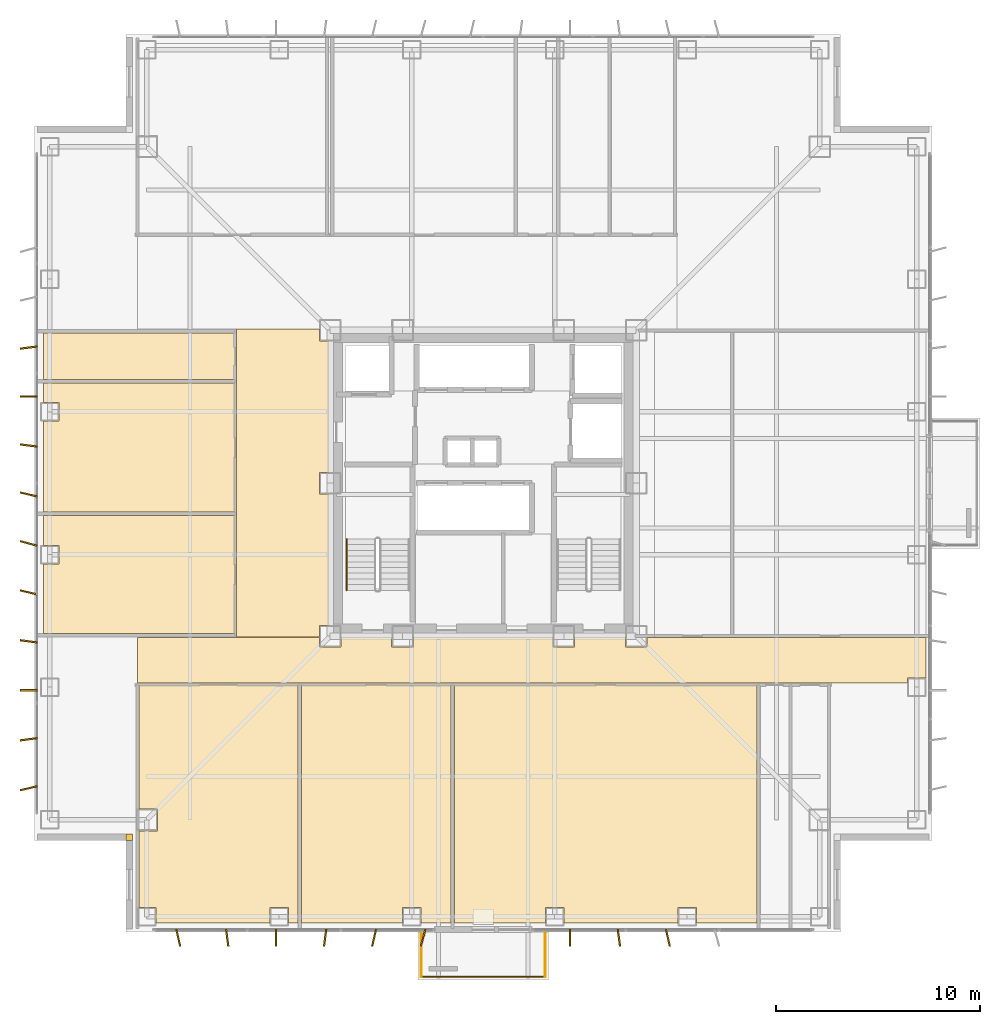
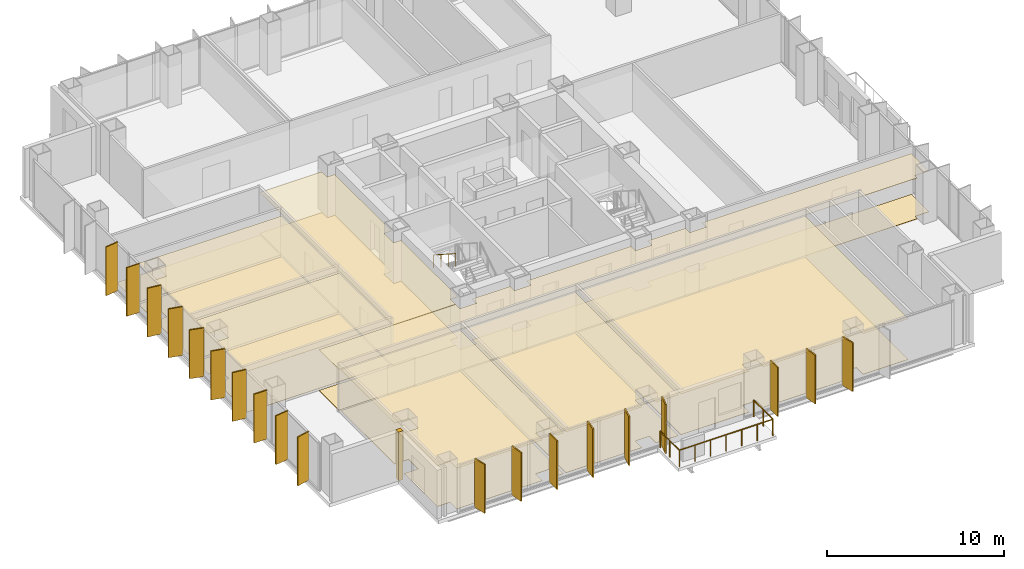
# One storey, part 16 of 18: 19 shading devices, 16 coverings, 4 railings.
"""IFC4 building model written with IfcOpenShell, lengths in metres."""

import ifcopenshell
import ifcopenshell.guid

model = None  # the IFC model being written
_history = None  # IfcOwnerHistory: only IFC2X3 demands one
_inside = {}  # id of a spatial element -> (the spatial element, [elements in it])
_under = {}  # id of a project, library or spatial element -> (it, [spatial elements below it])
_declared = {}  # id of a project -> (the project, [libraries it declares])
_typed = {}  # id of a type object -> (the type object, [elements of that type])
_made_of = {}  # id of a material, layer set ... -> (it, [elements and type objects made of it])


def new_model(schema):
    """Start an empty IFC model of exactly this schema.

    Asked for "IFC4X3", IfcOpenShell would pick the latest addendum, in which some entities
    have other attributes; the version numbers below select the first issue.
    IFC2X3 requires an IfcOwnerHistory on every rooted entity: one is made here for all.
    """
    global model, _history
    if schema == "IFC4X3":
        model = ifcopenshell.file(schema_version=(4, 3, 0, 0))
    else:
        model = ifcopenshell.file(schema=schema)
    _inside.clear()
    _under.clear()
    _declared.clear()
    _typed.clear()
    _made_of.clear()
    _history = None
    if model.schema == "IFC2X3":
        org = make("IfcOrganization", Name="unknown")
        user = make(
            "IfcPersonAndOrganization",
            ThePerson=make("IfcPerson", FamilyName="unknown"),
            TheOrganization=org,
        )
        app = make(
            "IfcApplication",
            ApplicationDeveloper=org,
            Version="unknown",
            ApplicationFullName="unknown",
            ApplicationIdentifier="unknown",
        )
        _history = make(
            "IfcOwnerHistory",
            OwningUser=user,
            OwningApplication=app,
            ChangeAction="ADDED",
            CreationDate=0,
        )
    return model


def make(cls, **values):
    """One entity of the class cls with the attributes given. An attribute that is None is left unset."""
    return model.create_entity(
        cls, **{name: value for name, value in values.items() if value is not None}
    )


def rooted(cls, **values):
    """An entity with a GlobalId (a new one), such as an element, a storey or a relation."""
    return make(cls, GlobalId=ifcopenshell.guid.new(), OwnerHistory=_history, **values)


def si_unit(unit_type, name, prefix=None):
    """IfcSIUnit, for example si_unit("LENGTHUNIT", "METRE", prefix="MILLI")."""
    return make("IfcSIUnit", UnitType=unit_type, Prefix=prefix, Name=name)


def assignment(units):
    """IfcUnitAssignment: the units of a project."""
    return None if units is None else make("IfcUnitAssignment", Units=units)


def point(xyz):
    """IfcCartesianPoint."""
    return None if xyz is None else make("IfcCartesianPoint", Coordinates=xyz)


def direction(xyz):
    """IfcDirection."""
    return None if xyz is None else make("IfcDirection", DirectionRatios=xyz)


def frame(location, z_axis=None, x_axis=None):
    """IfcAxis2Placement3D, a coordinate frame: its origin and axes. An axis left out is left unset."""
    return make(
        "IfcAxis2Placement3D",
        Location=point(location),
        Axis=direction(z_axis),
        RefDirection=direction(x_axis),
    )


def frame_2d(location, x_axis=None):
    """IfcAxis2Placement2D, a coordinate frame in the plane: its origin and x axis."""
    return make(
        "IfcAxis2Placement2D", Location=point(location), RefDirection=direction(x_axis)
    )


def origin():
    """The frame at (0, 0, 0) with its axes left unset."""
    return frame((0.0, 0.0, 0.0))


def origin_2d():
    """The frame at (0, 0) in the plane with its x axis left unset."""
    return frame_2d((0.0, 0.0))


def place(relative_to, where):
    """IfcLocalPlacement: puts the frame where relative to a parent placement (None: the world)."""
    return make(
        "IfcLocalPlacement", PlacementRelTo=relative_to, RelativePlacement=where
    )


def context(
    kind, dimensions, precision=None, world=None, true_north=None, identifier=None
):
    """IfcGeometricRepresentationContext, for example the 3D "Model" context."""
    return make(
        "IfcGeometricRepresentationContext",
        ContextIdentifier=identifier,
        ContextType=kind,
        CoordinateSpaceDimension=dimensions,
        Precision=precision,
        WorldCoordinateSystem=world,
        TrueNorth=true_north,
    )


def subcontext(parent, identifier, kind, view, scale=None):
    """IfcGeometricRepresentationSubContext, for example "Body" below "Model"."""
    return make(
        "IfcGeometricRepresentationSubContext",
        ContextIdentifier=identifier,
        ContextType=kind,
        ParentContext=parent,
        TargetScale=scale,
        TargetView=view,
    )


def project(units=None, contexts=None):
    """IfcProject with its units and contexts."""
    return rooted(
        "IfcProject",
        Name="project",
        RepresentationContexts=contexts,
        UnitsInContext=assignment(units),
    )


def spatial(cls, under=None, at=None, **own):
    """A site, building, storey or space (cls), placed at a placement, below another one or the project."""
    s = rooted(cls, ObjectPlacement=at, **own)
    if under is not None:
        _under.setdefault(under.id(), (under, []))[1].append(s)
    return s


def polyline(points):
    """IfcPolyline through the points."""
    return make("IfcPolyline", Points=[point(p) for p in points])


def profile(cls, at=None, kind="AREA", **sizes):
    """A parametric profile (cls). Its sizes go by their IFC names, for example OverallWidth=200.0."""
    return make(cls, ProfileType=kind, Position=at, **sizes)


def rectangle(**sizes):
    """IfcRectangleProfileDef."""
    return profile("IfcRectangleProfileDef", **sizes)


def circle(**sizes):
    """IfcCircleProfileDef."""
    return profile("IfcCircleProfileDef", **sizes)


def outline(outer, holes=None, kind="AREA"):
    """IfcArbitraryClosedProfileDef: a profile drawn as a closed curve; with holes, ...WithVoids."""
    if holes is None:
        return make("IfcArbitraryClosedProfileDef", ProfileType=kind, OuterCurve=outer)
    return make(
        "IfcArbitraryProfileDefWithVoids",
        ProfileType=kind,
        OuterCurve=outer,
        InnerCurves=holes,
    )


def extrude(swept, where, along, depth):
    """IfcExtrudedAreaSolid: the profile swept, set in the frame where, extruded along a direction by depth."""
    return make(
        "IfcExtrudedAreaSolid",
        SweptArea=swept,
        Position=where,
        ExtrudedDirection=direction(along),
        Depth=depth,
    )


def shape(context_of_items, identifier, shape_type, items):
    """IfcShapeRepresentation: the items that make up one representation, for example the "Body"."""
    return make(
        "IfcShapeRepresentation",
        ContextOfItems=context_of_items,
        RepresentationIdentifier=identifier,
        RepresentationType=shape_type,
        Items=items,
    )


def material(Name=None, Category=None):
    """IfcMaterial."""
    return make("IfcMaterial", Name=Name, Category=Category)


def layer(
    of_material, thickness, ventilated=None, Name=None, Category=None, Priority=None
):
    """IfcMaterialLayer: one layer of a wall or slab, of a material (None: an air gap)."""
    return make(
        "IfcMaterialLayer",
        Material=of_material,
        LayerThickness=thickness,
        IsVentilated=ventilated,
        Name=Name,
        Category=Category,
        Priority=Priority,
    )


def layer_set(layers, Name=None):
    """IfcMaterialLayerSet."""
    return make("IfcMaterialLayerSet", MaterialLayers=layers, LayerSetName=Name)


def made_of(thing, what):
    """Note that an element or type object is made of a material, layer set ...; save() writes the relation."""
    if what is not None:
        _made_of.setdefault(what.id(), (what, []))[1].append(thing)
    return thing


def type_object(cls, material=None, **own):
    """A type object (cls), such as IfcWallType, which elements share."""
    return made_of(rooted(cls, **own), material)


def element(
    cls,
    number,
    at=None,
    inside=None,
    cuts=None,
    type_object=None,
    material=None,
    context=None,
    identifier="Body",
    shape_type=None,
    held_by="IfcProductDefinitionShape",
    body=None,
    shapes=None,
    **own,
):
    """One element of the class cls, such as IfcWall. Its Tag is "e" and its number.

    at: its placement. inside: the storey or other place that contains it. cuts: it is an
    opening in that element (IfcRelVoidsElement). A single representation is given by context,
    identifier, shape_type and body (its items); several are given by shapes. held_by: the class
    of the entity that holds the representations. save() writes the other relations.
    """
    e = rooted(cls, Tag="e%d" % number, ObjectPlacement=at, **own)
    if body is not None:
        shapes = [shape(context, identifier, shape_type, body)]
    if shapes is not None:
        e.Representation = make(held_by, Representations=shapes)
    if inside is not None:
        _inside.setdefault(inside.id(), (inside, []))[1].append(e)
    if cuts is not None:
        rooted(
            "IfcRelVoidsElement", RelatingBuildingElement=cuts, RelatedOpeningElement=e
        )
    if type_object is not None:
        _typed.setdefault(type_object.id(), (type_object, []))[1].append(e)
    return made_of(e, material)


def aggregate(whole, parts):
    """IfcRelAggregates: a whole, such as a stair, and the parts it consists of."""
    return rooted("IfcRelAggregates", RelatingObject=whole, RelatedObjects=parts)


def save(model, path):
    """Write the relations noted so far, then the file.

    IfcRelAggregates (storeys below a building ...), IfcRelContainedInSpatialStructure (elements
    in a storey), IfcRelDefinesByType, IfcRelAssociatesMaterial and IfcRelDeclares: one each for
    every whole, place, type object, material and project.
    """
    for whole, parts in _under.values():
        aggregate(whole, parts)
    for where, things in _inside.values():
        rooted(
            "IfcRelContainedInSpatialStructure",
            RelatedElements=things,
            RelatingStructure=where,
        )
    for kind, things in _typed.values():
        rooted("IfcRelDefinesByType", RelatedObjects=things, RelatingType=kind)
    for what, things in _made_of.values():
        rooted("IfcRelAssociatesMaterial", RelatedObjects=things, RelatingMaterial=what)
    for by, libraries in _declared.values():
        rooted("IfcRelDeclares", RelatingContext=by, RelatedDefinitions=libraries)
    model.write(path)


model = new_model("IFC4")

# Units and contexts
model_context = context("Model", 3, precision=1e-05, world=origin(), true_north=direction((0.0, 1.0)))
body_context = subcontext(model_context, "Body", "Model", "MODEL_VIEW")
ifc_project = project(units=[si_unit("LENGTHUNIT", "METRE"), si_unit("AREAUNIT", "SQUARE_METRE"), si_unit("VOLUMEUNIT", "CUBIC_METRE"), si_unit("PLANEANGLEUNIT", "RADIAN"), si_unit("MASSUNIT", "GRAM", prefix="KILO")], contexts=[model_context])

# Site, building, storey
site_placement = place(None, origin())
site = spatial("IfcSite", under=ifc_project, at=site_placement, CompositionType="ELEMENT")
building_placement = place(site_placement, origin())
building = spatial("IfcBuilding", under=site, at=building_placement, Name="Trevonay Congress Spire", CompositionType="ELEMENT")
storey_placement = place(building_placement, frame((0.0, 0.0, 104.800048828125)))
storey = spatial("IfcBuildingStorey", under=building, at=storey_placement, Name="L26", CompositionType="ELEMENT", Elevation=104.800048828125)

# Coverings
ifc_material_1 = material(Name="Acoustic Mineral Fibre Board", Category="gypsum")
ifc_layer_1 = layer(ifc_material_1, 0.02490234375, Name="Acoustic Mineral Fibre Board")
ifc_layer_set_1 = layer_set([ifc_layer_1], Name="Acoustic Mineral Fibre Board")
covering_type_1 = type_object("IfcCoveringType", Name="COV-CEIL-ACOUSTIC", PredefinedType="CEILING", material=ifc_layer_set_1)
covering_1_placement = place(storey_placement, frame((0.0, 0.0, 2.81005859375)))
element("IfcCovering", 1, at=covering_1_placement, inside=storey, type_object=covering_type_1, Name="L26 Congress South Spine Corridor acoustic suspended ceiling", PredefinedType="CEILING", context=body_context, shape_type="SweptSolid", body=[
    extrude(outline(polyline([(-16.949951171875, -9.800048828125), (-16.949951171875, -7.550048828125), (-8.034912109375, -7.550048828125), (-8.034912109375, -8.034912109375), (-6.965087890625, -8.034912109375), (-6.965087890625, -7.550048828125), (-4.485107421875, -7.550048828125), (-4.485107421875, -8.034912109375), (-3.4150390625, -8.034912109375), (-3.4150390625, -7.550048828125), (3.4150390625, -7.550048828125), (3.4150390625, -8.034912109375), (4.485107421875, -8.034912109375), (4.485107421875, -7.550048828125), (6.965087890625, -7.550048828125), (6.965087890625, -8.034912109375), (8.034912109375, -8.034912109375), (8.034912109375, -7.550048828125), (21.699951171875, -7.550048828125), (21.699951171875, -9.5400390625), (20.7900390625, -9.5400390625), (20.7900390625, -9.800048828125), (-16.949951171875, -9.800048828125)])), origin(), (0.0, 0.0, 1.0), 0.02490234375),
])
covering_2_placement = place(storey_placement, frame((0.0, 0.0, 2.81005859375)))
element("IfcCovering", 2, at=covering_2_placement, inside=storey, type_object=covering_type_1, Name="L26 West Sky Promenade Salon acoustic suspended ceiling", PredefinedType="CEILING", context=body_context, shape_type="SweptSolid", body=[
    extrude(outline(polyline([(-12.10009765625, 7.550048828125), (-8.034912109375, 7.550048828125), (-8.034912109375, 6.965087890625), (-7.550048828125, 6.965087890625), (-7.550048828125, 0.534912109375), (-8.034912109375, 0.534912109375), (-8.034912109375, -0.534912109375), (-7.550048828125, -0.534912109375), (-7.550048828125, -6.965087890625), (-8.034912109375, -6.965087890625), (-8.034912109375, -7.5400390625), (-12.10009765625, -7.5400390625), (-12.10009765625, 7.550048828125)])), origin(), (0.0, 0.0, 1.0), 0.02490234375),
])
covering_3_placement = place(storey_placement, frame((0.0, 0.0, 2.81005859375)))
element("IfcCovering", 3, at=covering_3_placement, inside=storey, type_object=covering_type_1, Name="L26 Commission Hearing Chamber A acoustic suspended ceiling", PredefinedType="CEILING", context=body_context, shape_type="SweptSolid", body=[
    extrude(outline(polyline([(-16.0400390625, -21.550048828125), (-16.0400390625, -20.7900390625), (-16.8701171875, -20.7900390625), (-16.8701171875, -17.034912109375), (-15.965087890625, -17.034912109375), (-15.965087890625, -15.965087890625), (-16.8701171875, -15.965087890625), (-16.8701171875, -9.8798828125), (-9.080078125, -9.8798828125), (-9.080078125, -21.550048828125), (-9.5400390625, -21.550048828125), (-9.5400390625, -20.7900390625), (-10.4599609375, -20.7900390625), (-10.4599609375, -21.550048828125), (-16.0400390625, -21.550048828125)])), origin(), (0.0, 0.0, 1.0), 0.02490234375),
])
covering_4_placement = place(storey_placement, frame((0.0, 0.0, 2.81005859375)))
element("IfcCovering", 4, at=covering_4_placement, inside=storey, type_object=covering_type_1, Name="L26 Commission Hearing Chamber B acoustic suspended ceiling", PredefinedType="CEILING", context=body_context, shape_type="SweptSolid", body=[
    extrude(outline(polyline([(-8.919921875, -21.550048828125), (-8.919921875, -9.8798828125), (-1.580078125, -9.8798828125), (-1.580078125, -21.550048828125), (-3.0400390625, -21.550048828125), (-3.0400390625, -20.7900390625), (-3.9599609375, -20.7900390625), (-3.9599609375, -21.550048828125), (-8.919921875, -21.550048828125)])), origin(), (0.0, 0.0, 1.0), 0.02490234375),
])
covering_5_placement = place(storey_placement, frame((0.0, 0.0, 2.81005859375)))
element("IfcCovering", 5, at=covering_5_placement, inside=storey, type_object=covering_type_1, Name="L26 Simultaneous Interpretation Hub acoustic suspended ceiling", PredefinedType="CEILING", context=body_context, shape_type="SweptSolid", body=[
    extrude(outline(polyline([(-1.419921875, -21.550048828125), (-1.419921875, -9.8798828125), (13.419921875, -9.8798828125), (13.419921875, -21.550048828125), (10.4599609375, -21.550048828125), (10.4599609375, -20.7900390625), (9.5400390625, -20.7900390625), (9.5400390625, -21.550048828125), (3.9599609375, -21.550048828125), (3.9599609375, -20.7900390625), (3.0400390625, -20.7900390625), (3.0400390625, -21.550048828125), (-1.419921875, -21.550048828125)])), origin(), (0.0, 0.0, 1.0), 0.02490234375),
])
covering_6_placement = place(storey_placement, frame((0.0, 0.0, 2.81005859375)))
element("IfcCovering", 6, at=covering_6_placement, inside=storey, type_object=covering_type_1, Name="L26 Delegation Caucus Room West acoustic suspended ceiling", PredefinedType="CEILING", context=body_context, shape_type="SweptSolid", body=[
    extrude(outline(polyline([(-21.550048828125, -1.580078125), (-12.179931640625, -1.580078125), (-12.179931640625, -7.3701171875), (-21.550048828125, -7.3701171875), (-21.550048828125, -3.9599609375), (-20.7900390625, -3.9599609375), (-20.7900390625, -3.0400390625), (-21.550048828125, -3.0400390625), (-21.550048828125, -1.580078125)])), origin(), (0.0, 0.0, 1.0), 0.02490234375),
])
covering_7_placement = place(storey_placement, frame((0.0, 0.0, 2.81005859375)))
element("IfcCovering", 7, at=covering_7_placement, inside=storey, type_object=covering_type_1, Name="L26 Rapporteur Drafting Office acoustic suspended ceiling", PredefinedType="CEILING", context=body_context, shape_type="SweptSolid", body=[
    extrude(outline(polyline([(-21.550048828125, 4.919921875), (-12.179931640625, 4.919921875), (-12.179931640625, -1.419921875), (-21.550048828125, -1.419921875), (-21.550048828125, 3.0400390625), (-20.7900390625, 3.0400390625), (-20.7900390625, 3.9599609375), (-21.550048828125, 3.9599609375), (-21.550048828125, 4.919921875)])), origin(), (0.0, 0.0, 1.0), 0.02490234375),
])
ifc_material_2 = material(Name="Polished Granite Floor Tile", Category="masonry")
ifc_layer_2 = layer(ifc_material_2, 0.02001953125, Name="Polished Granite Floor Tile")
ifc_layer_set_2 = layer_set([ifc_layer_2], Name="Polished Granite Floor Tile")
covering_type_2 = type_object("IfcCoveringType", Name="COV-FLOOR-STONE", PredefinedType="FLOORING", material=ifc_layer_set_2)
covering_8_placement = place(storey_placement, origin())
element("IfcCovering", 8, at=covering_8_placement, inside=storey, type_object=covering_type_2, Name="L26 Congress South Spine Corridor floor finish", PredefinedType="FLOORING", context=body_context, shape_type="SweptSolid", body=[
    extrude(outline(polyline([(-16.949951171875, -9.800048828125), (-16.949951171875, -7.550048828125), (-8.034912109375, -7.550048828125), (-8.034912109375, -8.034912109375), (-6.965087890625, -8.034912109375), (-6.965087890625, -7.550048828125), (-4.485107421875, -7.550048828125), (-4.485107421875, -8.034912109375), (-3.4150390625, -8.034912109375), (-3.4150390625, -7.550048828125), (3.4150390625, -7.550048828125), (3.4150390625, -8.034912109375), (4.485107421875, -8.034912109375), (4.485107421875, -7.550048828125), (6.965087890625, -7.550048828125), (6.965087890625, -8.034912109375), (8.034912109375, -8.034912109375), (8.034912109375, -7.550048828125), (21.699951171875, -7.550048828125), (21.699951171875, -9.5400390625), (20.7900390625, -9.5400390625), (20.7900390625, -9.800048828125), (-16.949951171875, -9.800048828125)])), origin(), (0.0, 0.0, 1.0), 0.02001953125),
])
covering_9_placement = place(storey_placement, origin())
element("IfcCovering", 9, at=covering_9_placement, inside=storey, type_object=covering_type_2, Name="L26 Male Restroom WC floor finish", PredefinedType="FLOORING", context=body_context, shape_type="SweptSolid", body=[
    extrude(outline(polyline([(-21.550048828125, 5.080078125), (-12.179931640625, 5.080078125), (-12.179931640625, 7.3701171875), (-21.550048828125, 7.3701171875), (-21.550048828125, 5.080078125)])), origin(), (0.0, 0.0, 1.0), 0.02001953125),
])
ifc_material_3 = material(Name="Engineered Oak Flooring", Category="wood")
ifc_layer_3 = layer(ifc_material_3, 0.01806640625, Name="Engineered Oak Flooring")
ifc_layer_set_3 = layer_set([ifc_layer_3], Name="Engineered Oak Flooring")
covering_type_3 = type_object("IfcCoveringType", Name="COV-FLOOR-TIMBER", PredefinedType="FLOORING", material=ifc_layer_set_3)
covering_10_placement = place(storey_placement, origin())
element("IfcCovering", 10, at=covering_10_placement, inside=storey, type_object=covering_type_3, Name="L26 West Sky Promenade Salon floor finish", PredefinedType="FLOORING", context=body_context, shape_type="SweptSolid", body=[
    extrude(outline(polyline([(-12.10009765625, 7.550048828125), (-8.034912109375, 7.550048828125), (-8.034912109375, 6.965087890625), (-7.550048828125, 6.965087890625), (-7.550048828125, 0.534912109375), (-8.034912109375, 0.534912109375), (-8.034912109375, -0.534912109375), (-7.550048828125, -0.534912109375), (-7.550048828125, -6.965087890625), (-8.034912109375, -6.965087890625), (-8.034912109375, -7.5400390625), (-12.10009765625, -7.5400390625), (-12.10009765625, 7.550048828125)])), origin(), (0.0, 0.0, 1.0), 0.01806640625),
])
covering_11_placement = place(storey_placement, origin())
element("IfcCovering", 11, at=covering_11_placement, inside=storey, type_object=covering_type_3, Name="L26 Commission Hearing Chamber A floor finish", PredefinedType="FLOORING", context=body_context, shape_type="SweptSolid", body=[
    extrude(outline(polyline([(-16.0400390625, -21.550048828125), (-16.0400390625, -20.7900390625), (-16.8701171875, -20.7900390625), (-16.8701171875, -17.034912109375), (-15.965087890625, -17.034912109375), (-15.965087890625, -15.965087890625), (-16.8701171875, -15.965087890625), (-16.8701171875, -9.8798828125), (-9.080078125, -9.8798828125), (-9.080078125, -21.550048828125), (-9.5400390625, -21.550048828125), (-9.5400390625, -20.7900390625), (-10.4599609375, -20.7900390625), (-10.4599609375, -21.550048828125), (-16.0400390625, -21.550048828125)])), origin(), (0.0, 0.0, 1.0), 0.01806640625),
])
covering_12_placement = place(storey_placement, origin())
element("IfcCovering", 12, at=covering_12_placement, inside=storey, type_object=covering_type_3, Name="L26 Commission Hearing Chamber B floor finish", PredefinedType="FLOORING", context=body_context, shape_type="SweptSolid", body=[
    extrude(outline(polyline([(-8.919921875, -21.550048828125), (-8.919921875, -9.8798828125), (-1.580078125, -9.8798828125), (-1.580078125, -21.550048828125), (-3.0400390625, -21.550048828125), (-3.0400390625, -20.7900390625), (-3.9599609375, -20.7900390625), (-3.9599609375, -21.550048828125), (-8.919921875, -21.550048828125)])), origin(), (0.0, 0.0, 1.0), 0.01806640625),
])
covering_13_placement = place(storey_placement, origin())
element("IfcCovering", 13, at=covering_13_placement, inside=storey, type_object=covering_type_3, Name="L26 Simultaneous Interpretation Hub floor finish", PredefinedType="FLOORING", context=body_context, shape_type="SweptSolid", body=[
    extrude(outline(polyline([(-1.419921875, -21.550048828125), (-1.419921875, -9.8798828125), (13.419921875, -9.8798828125), (13.419921875, -21.550048828125), (10.4599609375, -21.550048828125), (10.4599609375, -20.7900390625), (9.5400390625, -20.7900390625), (9.5400390625, -21.550048828125), (3.9599609375, -21.550048828125), (3.9599609375, -20.7900390625), (3.0400390625, -20.7900390625), (3.0400390625, -21.550048828125), (-1.419921875, -21.550048828125)])), origin(), (0.0, 0.0, 1.0), 0.01806640625),
])
covering_14_placement = place(storey_placement, origin())
element("IfcCovering", 14, at=covering_14_placement, inside=storey, type_object=covering_type_3, Name="L26 Delegation Caucus Room West floor finish", PredefinedType="FLOORING", context=body_context, shape_type="SweptSolid", body=[
    extrude(outline(polyline([(-21.550048828125, -1.580078125), (-12.179931640625, -1.580078125), (-12.179931640625, -7.3701171875), (-21.550048828125, -7.3701171875), (-21.550048828125, -3.9599609375), (-20.7900390625, -3.9599609375), (-20.7900390625, -3.0400390625), (-21.550048828125, -3.0400390625), (-21.550048828125, -1.580078125)])), origin(), (0.0, 0.0, 1.0), 0.01806640625),
])
covering_15_placement = place(storey_placement, origin())
element("IfcCovering", 15, at=covering_15_placement, inside=storey, type_object=covering_type_3, Name="L26 Rapporteur Drafting Office floor finish", PredefinedType="FLOORING", context=body_context, shape_type="SweptSolid", body=[
    extrude(outline(polyline([(-21.550048828125, 4.919921875), (-12.179931640625, 4.919921875), (-12.179931640625, -1.419921875), (-21.550048828125, -1.419921875), (-21.550048828125, 3.0400390625), (-20.7900390625, 3.0400390625), (-20.7900390625, 3.9599609375), (-21.550048828125, 3.9599609375), (-21.550048828125, 4.919921875)])), origin(), (0.0, 0.0, 1.0), 0.01806640625),
])
ifc_material_4 = material(Name="Pale Anodised Aluminium EN AW-6063-T6", Category="aluminium")
ifc_layer_4 = layer(ifc_material_4, 0.0400390625, Name="Pale Anodised Aluminium EN AW-6063-T6")
ifc_layer_set_4 = layer_set([ifc_layer_4], Name="Pale Anodised Aluminium EN AW-6063-T6")
covering_type_4 = type_object("IfcCoveringType", Name="COV-SPANDREL-PALE-METAL", PredefinedType="CLADDING", material=ifc_layer_set_4)
covering_16_placement = place(storey_placement, origin())
element("IfcCovering", 16, at=covering_16_placement, inside=storey, type_object=covering_type_4, Name="L26 SW re-entrant notch corner closure trim", PredefinedType="CLADDING", context=body_context, shape_type="SweptSolid", body=[
    extrude(outline(polyline([(-17.5, -17.5), (-17.199951171875, -17.5), (-17.199951171875, -17.199951171875), (-17.5, -17.199951171875), (-17.5, -17.5)])), origin(), (0.0, 0.0, 1.0), 3.35986328125),
])

# Railings
railing_type_1 = type_object("IfcRailingType", Name="RAL-EXT-GUARD-115", PredefinedType="GUARDRAIL", material=ifc_material_4)
railing_1_placement = place(storey_placement, frame((-3.050048828125, -22.050048828125, 0.0)))
element("IfcRailing", 17, at=railing_1_placement, inside=storey, type_object=railing_type_1, Name="L26 perimeter safety guard GRD-L26-TBAL-S-1", PredefinedType="GUARDRAIL", context=body_context, shape_type="SweptSolid", body=[
    extrude(circle(Radius=0.02392578125, at=origin_2d()), frame((0.0, 0.0, 1.1259765625), z_axis=(0.0, -1.0, 0.0), x_axis=(1.0, 0.0, 0.0)), (0.0, 0.0, 1.0), 2.14990234375),
    extrude(circle(Radius=0.02099609375, at=origin_2d()), origin(), (0.0, 0.0, 1.0), 1.101806640625),
    extrude(circle(Radius=0.02099609375, at=origin_2d()), frame((0.0, -1.074951171875, 0.0)), (0.0, 0.0, 1.0), 1.101806640625),
    extrude(circle(Radius=0.02099609375, at=origin_2d()), frame((0.0, -2.14990234375, 0.0)), (0.0, 0.0, 1.0), 1.101806640625),
])
railing_2_placement = place(storey_placement, frame((-3.050048828125, -24.199951171875, 0.0)))
element("IfcRailing", 18, at=railing_2_placement, inside=storey, type_object=railing_type_1, Name="L26 perimeter safety guard GRD-L26-TBAL-S-2", PredefinedType="GUARDRAIL", context=body_context, shape_type="SweptSolid", body=[
    extrude(circle(Radius=0.02392578125, at=origin_2d()), frame((0.0, 0.0, 1.1259765625), z_axis=(1.0, 0.0, 0.0), x_axis=(0.0, 1.0, 0.0)), (0.0, 0.0, 1.0), 6.10009765625),
    extrude(circle(Radius=0.02099609375, at=origin_2d()), origin(), (0.0, 0.0, 1.0), 1.101806640625),
    extrude(circle(Radius=0.02099609375, at=origin_2d()), frame((1.0166015625, 0.0, 0.0)), (0.0, 0.0, 1.0), 1.101806640625),
    extrude(circle(Radius=0.02099609375, at=origin_2d()), frame((2.033447265625, 0.0, 0.0)), (0.0, 0.0, 1.0), 1.101806640625),
    extrude(circle(Radius=0.02099609375, at=origin_2d()), frame((3.050048828125, 0.0, 0.0)), (0.0, 0.0, 1.0), 1.101806640625),
    extrude(circle(Radius=0.02099609375, at=origin_2d()), frame((4.066650390625, 0.0, 0.0)), (0.0, 0.0, 1.0), 1.101806640625),
    extrude(circle(Radius=0.02099609375, at=origin_2d()), frame((5.08349609375, 0.0, 0.0)), (0.0, 0.0, 1.0), 1.101806640625),
    extrude(circle(Radius=0.02099609375, at=origin_2d()), frame((6.10009765625, 0.0, 0.0)), (0.0, 0.0, 1.0), 1.101806640625),
])
railing_3_placement = place(storey_placement, frame((3.050048828125, -24.199951171875, 0.0)))
element("IfcRailing", 19, at=railing_3_placement, inside=storey, type_object=railing_type_1, Name="L26 perimeter safety guard GRD-L26-TBAL-S-3", PredefinedType="GUARDRAIL", context=body_context, shape_type="SweptSolid", body=[
    extrude(circle(Radius=0.02392578125, at=origin_2d()), frame((0.0, 0.0, 1.1259765625), z_axis=(0.0, 1.0, 0.0), x_axis=(-1.0, 0.0, 0.0)), (0.0, 0.0, 1.0), 2.14990234375),
    extrude(circle(Radius=0.02099609375, at=origin_2d()), origin(), (0.0, 0.0, 1.0), 1.101806640625),
    extrude(circle(Radius=0.02099609375, at=origin_2d()), frame((0.0, 1.074951171875, 0.0)), (0.0, 0.0, 1.0), 1.101806640625),
    extrude(circle(Radius=0.02099609375, at=origin_2d()), frame((0.0, 2.14990234375, 0.0)), (0.0, 0.0, 1.0), 1.101806640625),
])
railing_type_2 = type_object("IfcRailingType", Name="RAL-STAIR-HANDRAIL", PredefinedType="HANDRAIL", material=ifc_material_4)
railing_4_placement = place(storey_placement, frame((-6.699951171875, -2.72998046875, 1.97998046875)))
element("IfcRailing", 20, at=railing_4_placement, inside=storey, type_object=railing_type_2, Name="L26 ST-1 stair handrail 2", PredefinedType="HANDRAIL", context=body_context, shape_type="SweptSolid", body=[
    extrude(circle(Radius=0.02392578125, at=origin_2d()), frame((0.0, 0.0, 0.8759765625), z_axis=(0.0, -0.841199657755, 0.540724639528), x_axis=(1.0, 0.0, 0.0)), (0.0, 0.0, 1.0), 2.995849609375),
    extrude(circle(Radius=0.02099609375, at=origin_2d()), origin(), (0.0, 0.0, 1.0), 0.851806640625),
    extrude(circle(Radius=0.02099609375, at=origin_2d()), frame((0.0, -0.840087890625, 0.5400390625)), (0.0, 0.0, 1.0), 0.851806640625),
    extrude(circle(Radius=0.02099609375, at=origin_2d()), frame((0.0, -1.679931640625, 1.079833984375)), (0.0, 0.0, 1.0), 0.851806640625),
    extrude(circle(Radius=0.02099609375, at=origin_2d()), frame((0.0, -2.52001953125, 1.619873046875)), (0.0, 0.0, 1.0), 0.851806640625),
])

# Shading devices
shading_device_type = type_object("IfcShadingDeviceType", Name="SHD-FIN-Z2-PALE-METAL", PredefinedType="USERDEFINED", material=ifc_material_4)
for number, where, z_axis, x_axis, name in (
    (21, (-14.949951171875, -22.280029296875, 0.0), (0.0, 0.0, 1.0), (0.97440931131, 0.224780991261, 0.0), "L26 S vertical pale-metal solar fin 1"),
    (22, (-12.550048828125, -22.280029296875, 0.0), (0.0, 0.0, 1.0), (0.991444861374, 0.13052619222, 0.0), "L26 S vertical pale-metal solar fin 2"),
    (23, (-10.14990234375, -22.280029296875, 0.0), (0.0, 0.0, 1.0), (1.0, 0.0, 0.0), "L26 S vertical pale-metal solar fin 3"),
    (24, (-7.75, -22.280029296875, 0.0), (0.0, 0.0, 1.0), (0.991444861374, -0.13052619222, 0.0), "L26 S vertical pale-metal solar fin 4"),
    (25, (-5.35009765625, -22.280029296875, 0.0), (0.0, 0.0, 1.0), (0.97440931131, -0.224780991261, 0.0), "L26 S vertical pale-metal solar fin 5"),
    (26, (-2.949951171875, -22.280029296875, 0.0), (0.0, 0.0, 1.0), (0.965925826289, -0.258819045103, 0.0), "L26 S vertical pale-metal solar fin 6"),
    (27, (4.25, -22.280029296875, 0.0), (0.0, 0.0, 1.0), (1.0, 0.0, 0.0), "L26 S vertical pale-metal solar fin 9"),
    (28, (6.64990234375, -22.280029296875, 0.0), (0.0, 0.0, 1.0), (0.991444861374, 0.13052619222, 0.0), "L26 S vertical pale-metal solar fin 10"),
    (29, (9.050048828125, -22.280029296875, 0.0), (0.0, 0.0, 1.0), (0.97440931131, 0.224780991261, 0.0), "L26 S vertical pale-metal solar fin 11"),
    (30, (-22.280029296875, -14.949951171875, 0.0), (0.0, 0.0, 1.0), (-0.224780991261, 0.97440931131, 0.0), "L26 W vertical pale-metal solar fin 1"),
    (31, (-22.280029296875, -12.550048828125, 0.0), (0.0, 0.0, 1.0), (-0.13052619222, 0.991444861374, 0.0), "L26 W vertical pale-metal solar fin 2"),
    (32, (-22.280029296875, -10.14990234375, 0.0), (0.0, 0.0, 1.0), (0.0, 1.0, 0.0), "L26 W vertical pale-metal solar fin 3"),
    (33, (-22.280029296875, -7.75, 0.0), (0.0, 0.0, 1.0), (0.13052619222, 0.991444861374, 0.0), "L26 W vertical pale-metal solar fin 4"),
    (34, (-22.280029296875, -5.35009765625, 0.0), (0.0, 0.0, 1.0), (0.224780991261, 0.97440931131, 0.0), "L26 W vertical pale-metal solar fin 5"),
    (35, (-22.280029296875, -2.949951171875, 0.0), (0.0, 0.0, 1.0), (0.258819045103, 0.965925826289, 0.0), "L26 W vertical pale-metal solar fin 6"),
    (36, (-22.280029296875, -0.550048828125, 0.0), (0.0, 0.0, 1.0), (0.224780991261, 0.97440931131, 0.0), "L26 W vertical pale-metal solar fin 7"),
    (37, (-22.280029296875, 1.85009765625, 0.0), (0.0, 0.0, 1.0), (0.13052619222, 0.991444861374, 0.0), "L26 W vertical pale-metal solar fin 8"),
    (38, (-22.280029296875, 4.25, 0.0), (0.0, 0.0, 1.0), (0.0, 1.0, 0.0), "L26 W vertical pale-metal solar fin 9"),
    (39, (-22.280029296875, 6.64990234375, 0.0), (0.0, 0.0, 1.0), (-0.13052619222, 0.991444861374, 0.0), "L26 W vertical pale-metal solar fin 10"),
):
    element("IfcShadingDevice", number, at=place(storey_placement, frame(where, z_axis=z_axis, x_axis=x_axis)), inside=storey, type_object=shading_device_type, Name=name, ObjectType="SOLAR FIN", PredefinedType="USERDEFINED", context=body_context, shape_type="SweptSolid", body=[
        extrude(rectangle(XDim=0.080078125, YDim=0.85009765625, at=origin_2d()), origin(), (0.0, 0.0, 1.0), 3.360107421875),
    ])

save(model, "model.ifc")
